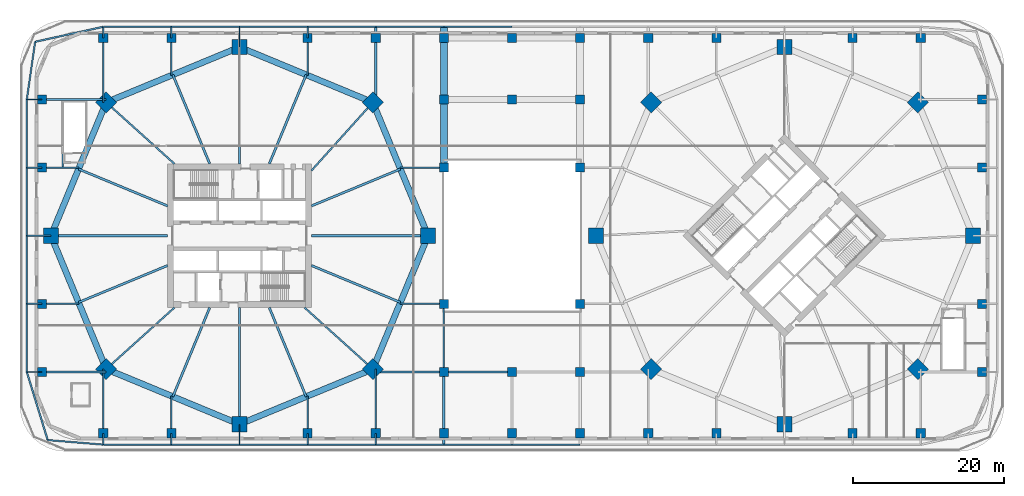
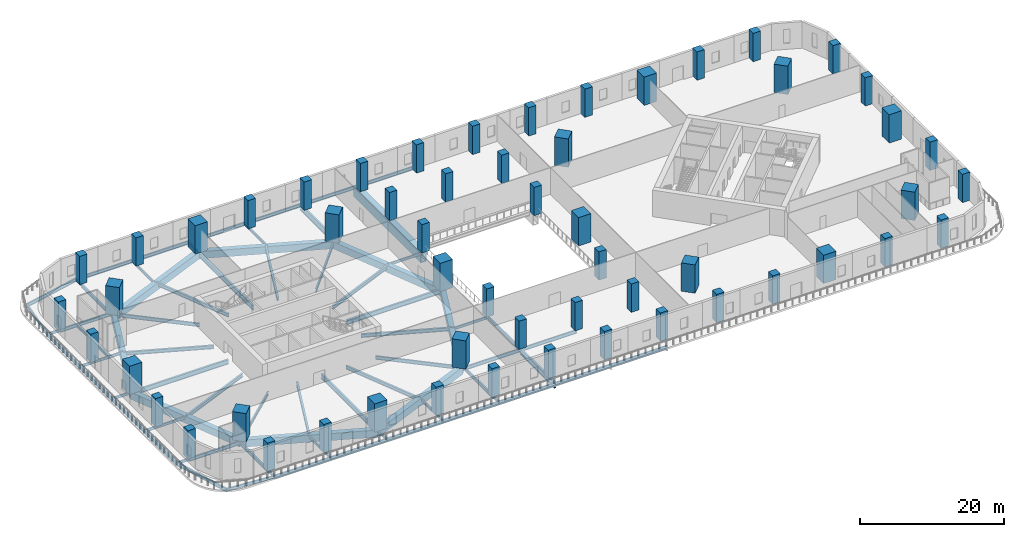
# One storey, part 1 of 16: 79 beams, 56 columns.
"""IFC4 building model written with IfcOpenShell, lengths in metres."""

import ifcopenshell
import ifcopenshell.guid

model = None  # the IFC model being written
_history = None  # IfcOwnerHistory: only IFC2X3 demands one
_inside = {}  # id of a spatial element -> (the spatial element, [elements in it])
_under = {}  # id of a project, library or spatial element -> (it, [spatial elements below it])
_declared = {}  # id of a project -> (the project, [libraries it declares])
_typed = {}  # id of a type object -> (the type object, [elements of that type])
_made_of = {}  # id of a material, layer set ... -> (it, [elements and type objects made of it])


def new_model(schema):
    """Start an empty IFC model of exactly this schema.

    Asked for "IFC4X3", IfcOpenShell would pick the latest addendum, in which some entities
    have other attributes; the version numbers below select the first issue.
    IFC2X3 requires an IfcOwnerHistory on every rooted entity: one is made here for all.
    """
    global model, _history
    if schema == "IFC4X3":
        model = ifcopenshell.file(schema_version=(4, 3, 0, 0))
    else:
        model = ifcopenshell.file(schema=schema)
    _inside.clear()
    _under.clear()
    _declared.clear()
    _typed.clear()
    _made_of.clear()
    _history = None
    if model.schema == "IFC2X3":
        org = make("IfcOrganization", Name="unknown")
        user = make(
            "IfcPersonAndOrganization",
            ThePerson=make("IfcPerson", FamilyName="unknown"),
            TheOrganization=org,
        )
        app = make(
            "IfcApplication",
            ApplicationDeveloper=org,
            Version="unknown",
            ApplicationFullName="unknown",
            ApplicationIdentifier="unknown",
        )
        _history = make(
            "IfcOwnerHistory",
            OwningUser=user,
            OwningApplication=app,
            ChangeAction="ADDED",
            CreationDate=0,
        )
    return model


def make(cls, **values):
    """One entity of the class cls with the attributes given. An attribute that is None is left unset."""
    return model.create_entity(
        cls, **{name: value for name, value in values.items() if value is not None}
    )


def rooted(cls, **values):
    """An entity with a GlobalId (a new one), such as an element, a storey or a relation."""
    return make(cls, GlobalId=ifcopenshell.guid.new(), OwnerHistory=_history, **values)


def si_unit(unit_type, name, prefix=None):
    """IfcSIUnit, for example si_unit("LENGTHUNIT", "METRE", prefix="MILLI")."""
    return make("IfcSIUnit", UnitType=unit_type, Prefix=prefix, Name=name)


def assignment(units):
    """IfcUnitAssignment: the units of a project."""
    return None if units is None else make("IfcUnitAssignment", Units=units)


def point(xyz):
    """IfcCartesianPoint."""
    return None if xyz is None else make("IfcCartesianPoint", Coordinates=xyz)


def direction(xyz):
    """IfcDirection."""
    return None if xyz is None else make("IfcDirection", DirectionRatios=xyz)


def frame(location, z_axis=None, x_axis=None):
    """IfcAxis2Placement3D, a coordinate frame: its origin and axes. An axis left out is left unset."""
    return make(
        "IfcAxis2Placement3D",
        Location=point(location),
        Axis=direction(z_axis),
        RefDirection=direction(x_axis),
    )


def frame_2d(location, x_axis=None):
    """IfcAxis2Placement2D, a coordinate frame in the plane: its origin and x axis."""
    return make(
        "IfcAxis2Placement2D", Location=point(location), RefDirection=direction(x_axis)
    )


def origin():
    """The frame at (0, 0, 0) with its axes left unset."""
    return frame((0.0, 0.0, 0.0))


def origin_2d():
    """The frame at (0, 0) in the plane with its x axis left unset."""
    return frame_2d((0.0, 0.0))


def place(relative_to, where):
    """IfcLocalPlacement: puts the frame where relative to a parent placement (None: the world)."""
    return make(
        "IfcLocalPlacement", PlacementRelTo=relative_to, RelativePlacement=where
    )


def context(
    kind, dimensions, precision=None, world=None, true_north=None, identifier=None
):
    """IfcGeometricRepresentationContext, for example the 3D "Model" context."""
    return make(
        "IfcGeometricRepresentationContext",
        ContextIdentifier=identifier,
        ContextType=kind,
        CoordinateSpaceDimension=dimensions,
        Precision=precision,
        WorldCoordinateSystem=world,
        TrueNorth=true_north,
    )


def subcontext(parent, identifier, kind, view, scale=None):
    """IfcGeometricRepresentationSubContext, for example "Body" below "Model"."""
    return make(
        "IfcGeometricRepresentationSubContext",
        ContextIdentifier=identifier,
        ContextType=kind,
        ParentContext=parent,
        TargetScale=scale,
        TargetView=view,
    )


def project(units=None, contexts=None):
    """IfcProject with its units and contexts."""
    return rooted(
        "IfcProject",
        Name="project",
        RepresentationContexts=contexts,
        UnitsInContext=assignment(units),
    )


def spatial(cls, under=None, at=None, **own):
    """A site, building, storey or space (cls), placed at a placement, below another one or the project."""
    s = rooted(cls, ObjectPlacement=at, **own)
    if under is not None:
        _under.setdefault(under.id(), (under, []))[1].append(s)
    return s


def profile(cls, at=None, kind="AREA", **sizes):
    """A parametric profile (cls). Its sizes go by their IFC names, for example OverallWidth=200.0."""
    return make(cls, ProfileType=kind, Position=at, **sizes)


def rectangle(**sizes):
    """IfcRectangleProfileDef."""
    return profile("IfcRectangleProfileDef", **sizes)


def hollow_rectangle(**sizes):
    """IfcRectangleHollowProfileDef."""
    return profile("IfcRectangleHollowProfileDef", **sizes)


def i_section(**sizes):
    """IfcIShapeProfileDef."""
    return profile("IfcIShapeProfileDef", **sizes)


def extrude(swept, where, along, depth):
    """IfcExtrudedAreaSolid: the profile swept, set in the frame where, extruded along a direction by depth."""
    return make(
        "IfcExtrudedAreaSolid",
        SweptArea=swept,
        Position=where,
        ExtrudedDirection=direction(along),
        Depth=depth,
    )


def shape(context_of_items, identifier, shape_type, items):
    """IfcShapeRepresentation: the items that make up one representation, for example the "Body"."""
    return make(
        "IfcShapeRepresentation",
        ContextOfItems=context_of_items,
        RepresentationIdentifier=identifier,
        RepresentationType=shape_type,
        Items=items,
    )


def material(Name=None, Category=None):
    """IfcMaterial."""
    return make("IfcMaterial", Name=Name, Category=Category)


def material_profile(
    of_material, cross_section, Name=None, Category=None, Priority=None
):
    """IfcMaterialProfile: a cross section and its material."""
    return make(
        "IfcMaterialProfile",
        Name=Name,
        Material=of_material,
        Profile=cross_section,
        Priority=Priority,
        Category=Category,
    )


def profile_set(profiles, Name=None, composite=None):
    """IfcMaterialProfileSet."""
    return make(
        "IfcMaterialProfileSet",
        Name=Name,
        MaterialProfiles=profiles,
        CompositeProfile=composite,
    )


def made_of(thing, what):
    """Note that an element or type object is made of a material, layer set ...; save() writes the relation."""
    if what is not None:
        _made_of.setdefault(what.id(), (what, []))[1].append(thing)
    return thing


def type_object(cls, material=None, **own):
    """A type object (cls), such as IfcWallType, which elements share."""
    return made_of(rooted(cls, **own), material)


def element(
    cls,
    number,
    at=None,
    inside=None,
    cuts=None,
    type_object=None,
    material=None,
    context=None,
    identifier="Body",
    shape_type=None,
    held_by="IfcProductDefinitionShape",
    body=None,
    shapes=None,
    **own,
):
    """One element of the class cls, such as IfcWall. Its Tag is "e" and its number.

    at: its placement. inside: the storey or other place that contains it. cuts: it is an
    opening in that element (IfcRelVoidsElement). A single representation is given by context,
    identifier, shape_type and body (its items); several are given by shapes. held_by: the class
    of the entity that holds the representations. save() writes the other relations.
    """
    e = rooted(cls, Tag="e%d" % number, ObjectPlacement=at, **own)
    if body is not None:
        shapes = [shape(context, identifier, shape_type, body)]
    if shapes is not None:
        e.Representation = make(held_by, Representations=shapes)
    if inside is not None:
        _inside.setdefault(inside.id(), (inside, []))[1].append(e)
    if cuts is not None:
        rooted(
            "IfcRelVoidsElement", RelatingBuildingElement=cuts, RelatedOpeningElement=e
        )
    if type_object is not None:
        _typed.setdefault(type_object.id(), (type_object, []))[1].append(e)
    return made_of(e, material)


def aggregate(whole, parts):
    """IfcRelAggregates: a whole, such as a stair, and the parts it consists of."""
    return rooted("IfcRelAggregates", RelatingObject=whole, RelatedObjects=parts)


def save(model, path):
    """Write the relations noted so far, then the file.

    IfcRelAggregates (storeys below a building ...), IfcRelContainedInSpatialStructure (elements
    in a storey), IfcRelDefinesByType, IfcRelAssociatesMaterial and IfcRelDeclares: one each for
    every whole, place, type object, material and project.
    """
    for whole, parts in _under.values():
        aggregate(whole, parts)
    for where, things in _inside.values():
        rooted(
            "IfcRelContainedInSpatialStructure",
            RelatedElements=things,
            RelatingStructure=where,
        )
    for kind, things in _typed.values():
        rooted("IfcRelDefinesByType", RelatedObjects=things, RelatingType=kind)
    for what, things in _made_of.values():
        rooted("IfcRelAssociatesMaterial", RelatedObjects=things, RelatingMaterial=what)
    for by, libraries in _declared.values():
        rooted("IfcRelDeclares", RelatingContext=by, RelatedDefinitions=libraries)
    model.write(path)


model = new_model("IFC4")

# Units and contexts
model_context = context("Model", 3, precision=1e-05, world=origin(), true_north=direction((0.0, 1.0)))
body_context = subcontext(model_context, "Body", "Model", "MODEL_VIEW")
ifc_project = project(units=[si_unit("LENGTHUNIT", "METRE"), si_unit("AREAUNIT", "SQUARE_METRE"), si_unit("VOLUMEUNIT", "CUBIC_METRE"), si_unit("PLANEANGLEUNIT", "RADIAN"), si_unit("MASSUNIT", "GRAM", prefix="KILO")], contexts=[model_context])

# Site, building, storey
site_placement = place(None, origin())
site = spatial("IfcSite", under=ifc_project, at=site_placement, CompositionType="ELEMENT")
building_placement = place(site_placement, origin())
building = spatial("IfcBuilding", under=site, at=building_placement, Name="Ogive Gate Towers", CompositionType="ELEMENT")
storey_placement = place(building_placement, frame((0.0, 0.0, 22.800048828125)))
storey = spatial("IfcBuildingStorey", under=building, at=storey_placement, Name="L04", CompositionType="ELEMENT", Elevation=22.800048828125)

# Columns
ifc_material_1 = material(Name="Concrete C50/60", Category="concrete")
ifc_material_profile_1 = material_profile(ifc_material_1, rectangle(XDim=1.199951171875, YDim=1.199951171875, at=origin_2d()), Name="RC 1200x1200")
ifc_profile_set_1 = profile_set([ifc_material_profile_1], Name="Concrete C50/60")
column_type_1 = type_object("IfcColumnType", Name="Column RC 1200x1200", PredefinedType="COLUMN", material=ifc_profile_set_1)
for number, where, z_axis, x_axis, name in (
    (1, (-62.10009765625, -18.0, 0.0), (0.0, 0.0, 1.0), (1.0, 0.0, 0.0), "PD/L04/SCL001"),
    (2, (-62.10009765625, -9.0, 0.0), (0.0, 0.0, 1.0), (1.0, 0.0, 0.0), "PD/L04/SCL002"),
    (3, (-62.10009765625, 9.0, 0.0), (0.0, 0.0, 1.0), (1.0, 0.0, 0.0), "PD/L04/SCL003"),
    (4, (-62.10009765625, 18.0, 0.0), (0.0, 0.0, 1.0), (1.0, 0.0, 0.0), "PD/L04/SCL004"),
    (5, (-54.0, -26.10009765625, 0.0), (0.0, 0.0, 1.0), (1.0, 0.0, 0.0), "PD/L04/SCL005"),
    (6, (-54.0, 26.10009765625, 0.0), (0.0, 0.0, 1.0), (1.0, 0.0, 0.0), "PD/L04/SCL006"),
    (7, (-45.0, -26.10009765625, 0.0), (0.0, 0.0, 1.0), (1.0, 0.0, 0.0), "PD/L04/SCL007"),
    (8, (-45.0, 26.10009765625, 0.0), (0.0, 0.0, 1.0), (1.0, 0.0, 0.0), "PD/L04/SCL008"),
    (9, (-27.0, -26.10009765625, 0.0), (0.0, 0.0, 1.0), (1.0, 0.0, 0.0), "PD/L04/SCL009"),
    (10, (-27.0, 26.10009765625, 0.0), (0.0, 0.0, 1.0), (1.0, 0.0, 0.0), "PD/L04/SCL010"),
    (11, (-18.0, -26.10009765625, 0.0), (0.0, 0.0, 1.0), (1.0, 0.0, 0.0), "PD/L04/SCL011"),
    (12, (-18.0, 26.10009765625, 0.0), (0.0, 0.0, 1.0), (1.0, 0.0, 0.0), "PD/L04/SCL012"),
    (13, (-9.0, -26.10009765625, 0.0), (0.0, 0.0, 1.0), (1.0, 0.0, 0.0), "PD/L04/SCL013"),
    (14, (-9.0, -18.0, 0.0), (0.0, 0.0, 1.0), (1.0, 0.0, 0.0), "PD/L04/SCL014"),
    (15, (-9.0, -9.0, 0.0), (0.0, 0.0, 1.0), (1.0, 0.0, 0.0), "PD/L04/SCL015"),
    (16, (-9.0, 9.0, 0.0), (0.0, 0.0, 1.0), (1.0, 0.0, 0.0), "PD/L04/SCL016"),
    (17, (-9.0, 18.0, 0.0), (0.0, 0.0, 1.0), (1.0, 0.0, 0.0), "PD/L04/SCL017"),
    (18, (-9.0, 26.10009765625, 0.0), (0.0, 0.0, 1.0), (1.0, 0.0, 0.0), "PD/L04/SCL018"),
    (19, (0.0, -26.10009765625, 0.0), (0.0, 0.0, 1.0), (1.0, 0.0, 0.0), "PD/L04/SCL019"),
    (20, (0.0, -18.0, 0.0), (0.0, 0.0, 1.0), (1.0, 0.0, 0.0), "PD/L04/SCL020"),
    (21, (0.0, 18.0, 0.0), (0.0, 0.0, 1.0), (1.0, 0.0, 0.0), "PD/L04/SCL021"),
    (22, (0.0, 26.10009765625, 0.0), (0.0, 0.0, 1.0), (1.0, 0.0, 0.0), "PD/L04/SCL022"),
    (23, (9.0, -26.10009765625, 0.0), (0.0, 0.0, 1.0), (1.0, 0.0, 0.0), "PD/L04/SCL023"),
    (24, (9.0, -18.0, 0.0), (0.0, 0.0, 1.0), (1.0, 0.0, 0.0), "PD/L04/SCL024"),
    (25, (9.0, -9.0, 0.0), (0.0, 0.0, 1.0), (1.0, 0.0, 0.0), "PD/L04/SCL025"),
    (26, (9.0, 9.0, 0.0), (0.0, 0.0, 1.0), (1.0, 0.0, 0.0), "PD/L04/SCL026"),
    (27, (9.0, 18.0, 0.0), (0.0, 0.0, 1.0), (1.0, 0.0, 0.0), "PD/L04/SCL027"),
    (28, (9.0, 26.10009765625, 0.0), (0.0, 0.0, 1.0), (1.0, 0.0, 0.0), "PD/L04/SCL028"),
    (29, (18.0, -26.10009765625, 0.0), (0.0, 0.0, 1.0), (1.0, 0.0, 0.0), "PD/L04/SCL029"),
    (30, (18.0, 26.10009765625, 0.0), (0.0, 0.0, 1.0), (1.0, 0.0, 0.0), "PD/L04/SCL030"),
    (31, (27.0, -26.10009765625, 0.0), (0.0, 0.0, 1.0), (1.0, 0.0, 0.0), "PD/L04/SCL031"),
    (32, (27.0, 26.10009765625, 0.0), (0.0, 0.0, 1.0), (1.0, 0.0, 0.0), "PD/L04/SCL032"),
    (33, (45.0, -26.10009765625, 0.0), (0.0, 0.0, 1.0), (1.0, 0.0, 0.0), "PD/L04/SCL033"),
    (34, (45.0, 26.10009765625, 0.0), (0.0, 0.0, 1.0), (1.0, 0.0, 0.0), "PD/L04/SCL034"),
    (35, (54.0, -26.10009765625, 0.0), (0.0, 0.0, 1.0), (1.0, 0.0, 0.0), "PD/L04/SCL035"),
    (36, (54.0, 26.10009765625, 0.0), (0.0, 0.0, 1.0), (1.0, 0.0, 0.0), "PD/L04/SCL036"),
    (37, (62.10009765625, -18.0, 0.0), (0.0, 0.0, 1.0), (1.0, 0.0, 0.0), "PD/L04/SCL037"),
    (38, (62.10009765625, -9.0, 0.0), (0.0, 0.0, 1.0), (1.0, 0.0, 0.0), "PD/L04/SCL038"),
    (39, (62.10009765625, 9.0, 0.0), (0.0, 0.0, 1.0), (1.0, 0.0, 0.0), "PD/L04/SCL039"),
    (40, (62.10009765625, 18.0, 0.0), (0.0, 0.0, 1.0), (1.0, 0.0, 0.0), "PD/L04/SCL040"),
):
    element("IfcColumn", number, at=place(storey_placement, frame(where, z_axis=z_axis, x_axis=x_axis)), inside=storey, type_object=column_type_1, Name=name, PredefinedType="COLUMN", context=body_context, shape_type="SweptSolid", body=[
        extrude(rectangle(XDim=1.199951171875, YDim=1.199951171875, at=origin_2d()), origin(), (0.0, 0.0, 1.0), 4.800048828125),
    ])
ifc_material_2 = material(Name="Concrete C70/85", Category="concrete")
ifc_material_profile_2 = material_profile(ifc_material_2, rectangle(XDim=2.0, YDim=2.0, at=origin_2d()), Name="RC 2000x2000")
ifc_profile_set_2 = profile_set([ifc_material_profile_2], Name="Concrete C70/85")
column_type_2 = type_object("IfcColumnType", Name="Mega column 2000 x 2000", PredefinedType="COLUMN", material=ifc_profile_set_2)
for number, where, z_axis, x_axis, name in (
    (41, (-11.090087890625, 0.0, 0.0), (0.0, 0.0, 1.0), (1.0, 0.0, 0.0), "T1/L04/SCL001"),
    (42, (-18.385986328125, 17.614013671875, 0.0), (0.0, 0.0, 1.0), (0.707106781187, 0.707106781187, 0.0), "T1/L04/SCL002"),
    (43, (-36.0, 24.909912109375, 0.0), (0.0, 0.0, 1.0), (0.0, 1.0, 0.0), "T1/L04/SCL003"),
    (44, (-53.614013671875, 17.614013671875, 0.0), (0.0, 0.0, 1.0), (-0.707106781187, 0.707106781187, 0.0), "T1/L04/SCL004"),
    (45, (-60.909912109375, 0.0, 0.0), (0.0, 0.0, 1.0), (-1.0, 0.0, 0.0), "T1/L04/SCL005"),
    (46, (-53.614013671875, -17.614013671875, 0.0), (0.0, 0.0, 1.0), (-0.707106781187, -0.707106781187, 0.0), "T1/L04/SCL006"),
    (47, (-36.0, -24.909912109375, 0.0), (0.0, 0.0, 1.0), (0.0, -1.0, 0.0), "T1/L04/SCL007"),
    (48, (-18.385986328125, -17.614013671875, 0.0), (0.0, 0.0, 1.0), (0.707106781187, -0.707106781187, 0.0), "T1/L04/SCL008"),
    (49, (60.909912109375, 0.0, 0.0), (0.0, 0.0, 1.0), (1.0, 0.0, 0.0), "T2/L04/SCL001"),
    (50, (53.614013671875, 17.614013671875, 0.0), (0.0, 0.0, 1.0), (0.707106781187, 0.707106781187, 0.0), "T2/L04/SCL002"),
    (51, (36.0, 24.909912109375, 0.0), (0.0, 0.0, 1.0), (0.0, 1.0, 0.0), "T2/L04/SCL003"),
    (52, (18.385986328125, 17.614013671875, 0.0), (0.0, 0.0, 1.0), (-0.707106781187, 0.707106781187, 0.0), "T2/L04/SCL004"),
    (53, (11.090087890625, 0.0, 0.0), (0.0, 0.0, 1.0), (-1.0, 0.0, 0.0), "T2/L04/SCL005"),
    (54, (18.385986328125, -17.614013671875, 0.0), (0.0, 0.0, 1.0), (-0.707106781187, -0.707106781187, 0.0), "T2/L04/SCL006"),
    (55, (36.0, -24.909912109375, 0.0), (0.0, 0.0, 1.0), (0.0, -1.0, 0.0), "T2/L04/SCL007"),
    (56, (53.614013671875, -17.614013671875, 0.0), (0.0, 0.0, 1.0), (0.707106781187, -0.707106781187, 0.0), "T2/L04/SCL008"),
):
    element("IfcColumn", number, at=place(storey_placement, frame(where, z_axis=z_axis, x_axis=x_axis)), inside=storey, type_object=column_type_2, Name=name, PredefinedType="COLUMN", context=body_context, shape_type="SweptSolid", body=[
        extrude(rectangle(XDim=2.0, YDim=2.0, at=origin_2d()), origin(), (0.0, 0.0, 1.0), 4.800048828125),
    ])

# Beams
ifc_material_3 = material(Name="Steel SM460", Category="steel")
ifc_material_profile_3 = material_profile(ifc_material_3, hollow_rectangle(XDim=0.800048828125, YDim=1.199951171875, WallThickness=0.050048828125, at=origin_2d()), Name="BX 1200x800x50")
ifc_profile_set_3 = profile_set([ifc_material_profile_3], Name="Steel SM460")
beam_type_1 = type_object("IfcBeamType", Name="Edge girder BX 1200x800x50", PredefinedType="BEAM", material=ifc_profile_set_3)
for number, where, z_axis, x_axis, name in (
    (57, (-53.614013671875, -17.614013671875, -0.900146484375), (0.923880736283, -0.382680526191, 0.0), (0.382680526191, 0.923880736283, 0.0), "T1/L04/SBM017"),
    (58, (-36.0, -24.909912109375, -0.900146484375), (0.923880736283, 0.382680526191, 0.0), (-0.382680526191, 0.923880736283, 0.0), "T1/L04/SBM018"),
    (59, (-18.385986328125, -17.614013671875, -0.900146484375), (0.382680526191, 0.923880736283, 0.0), (-0.923880736283, 0.382680526191, 0.0), "T1/L04/SBM019"),
    (60, (-11.090087890625, 0.0, -0.900146484375), (-0.382680526191, 0.923880736283, 0.0), (-0.923880736283, -0.382680526191, 0.0), "T1/L04/SBM020"),
    (61, (-18.385986328125, 17.614013671875, -0.900146484375), (-0.923880736283, 0.382680526191, 0.0), (-0.382680526191, -0.923880736283, 0.0), "T1/L04/SBM021"),
    (62, (-36.0, 24.909912109375, -0.900146484375), (-0.923880736283, -0.382680526191, 0.0), (0.382680526191, -0.923880736283, 0.0), "T1/L04/SBM022"),
    (63, (-53.614013671875, 17.614013671875, -0.900146484375), (-0.382680526191, -0.923880736283, 0.0), (0.923880736283, -0.382680526191, 0.0), "T1/L04/SBM023"),
    (64, (-60.909912109375, 0.0, -0.900146484375), (0.382680526191, -0.923880736283, 0.0), (0.923880736283, 0.382680526191, 0.0), "T1/L04/SBM024"),
):
    element("IfcBeam", number, at=place(storey_placement, frame(where, z_axis=z_axis, x_axis=x_axis)), inside=storey, type_object=beam_type_1, Name=name, PredefinedType="BEAM", context=body_context, shape_type="SweptSolid", body=[
        extrude(hollow_rectangle(XDim=0.800048828125, YDim=1.199951171875, WallThickness=0.050048828125, at=origin_2d()), origin(), (0.0, 0.0, 1.0), 19.065185546875),
    ])
ifc_material_4 = material(Name="Steel SM355", Category="steel")
ifc_material_profile_4 = material_profile(ifc_material_4, i_section(OverallWidth=0.18994140625, OverallDepth=0.449951171875, WebThickness=0.009521484375, FlangeThickness=0.0146484375, FilletRadius=0.02099609375, at=origin_2d()), Name="IPE 450")
ifc_profile_set_4 = profile_set([ifc_material_profile_4], Name="Steel SM355")
beam_type_2 = type_object("IfcBeamType", Name="Floor beam IPE 450", PredefinedType="BEAM", material=ifc_profile_set_4)
for number, where, z_axis, x_axis, name in (
    (65, (-54.0, -27.60009765625, -0.525146484375), (0.0, 1.0, 0.0), (-1.0, 0.0, 0.0), "PD/L04/SBM010"),
    (66, (-54.0, 26.10009765625, -0.525146484375), (0.0, 1.0, 0.0), (-1.0, 0.0, 0.0), "PD/L04/SBM013"),
    (67, (-45.0, -27.60009765625, -0.525146484375), (0.0, 1.0, 0.0), (-1.0, 0.0, 0.0), "PD/L04/SBM014"),
    (68, (-45.0, 26.10009765625, -0.525146484375), (0.0, 1.0, 0.0), (-1.0, 0.0, 0.0), "PD/L04/SBM015"),
):
    element("IfcBeam", number, at=place(storey_placement, frame(where, z_axis=z_axis, x_axis=x_axis)), inside=storey, type_object=beam_type_2, Name=name, PredefinedType="BEAM", context=body_context, shape_type="SweptSolid", body=[
        extrude(i_section(OverallWidth=0.18994140625, OverallDepth=0.449951171875, WebThickness=0.009521484375, FlangeThickness=0.0146484375, FilletRadius=0.02099609375, at=origin_2d()), origin(), (0.0, 0.0, 1.0), 1.5),
    ])
for number, where, z_axis, x_axis, name in (
    (69, (-36.0, -27.60009765625, -0.525146484375), (0.0, 1.0, 0.0), (-1.0, 0.0, 0.0), "PD/L04/SBM016"),
    (70, (-36.0, 24.909912109375, -0.525146484375), (0.0, 1.0, 0.0), (-1.0, 0.0, 0.0), "PD/L04/SBM017"),
):
    element("IfcBeam", number, at=place(storey_placement, frame(where, z_axis=z_axis, x_axis=x_axis)), inside=storey, type_object=beam_type_2, Name=name, PredefinedType="BEAM", context=body_context, shape_type="SweptSolid", body=[
        extrude(i_section(OverallWidth=0.18994140625, OverallDepth=0.449951171875, WebThickness=0.009521484375, FlangeThickness=0.0146484375, FilletRadius=0.02099609375, at=origin_2d()), origin(), (0.0, 0.0, 1.0), 2.690185546875),
    ])
for number, where, z_axis, x_axis, name in (
    (71, (-27.0, -27.60009765625, -0.525146484375), (0.0, 1.0, 0.0), (-1.0, 0.0, 0.0), "PD/L04/SBM018"),
    (72, (-27.0, 26.10009765625, -0.525146484375), (0.0, 1.0, 0.0), (-1.0, 0.0, 0.0), "PD/L04/SBM019"),
    (73, (-18.0, -27.60009765625, -0.525146484375), (0.0, 1.0, 0.0), (-1.0, 0.0, 0.0), "PD/L04/SBM020"),
):
    element("IfcBeam", number, at=place(storey_placement, frame(where, z_axis=z_axis, x_axis=x_axis)), inside=storey, type_object=beam_type_2, Name=name, PredefinedType="BEAM", context=body_context, shape_type="SweptSolid", body=[
        extrude(i_section(OverallWidth=0.18994140625, OverallDepth=0.449951171875, WebThickness=0.009521484375, FlangeThickness=0.0146484375, FilletRadius=0.02099609375, at=origin_2d()), origin(), (0.0, 0.0, 1.0), 1.5),
    ])
for number, where, z_axis, x_axis, name in (
    (74, (-64.10009765625, -18.0, -0.525146484375), (1.0, 0.0, 0.0), (0.0, 1.0, 0.0), "PD/L04/SBM036"),
    (75, (-64.10009765625, -9.0, -0.525146484375), (1.0, 0.0, 0.0), (0.0, 1.0, 0.0), "PD/L04/SBM044"),
):
    element("IfcBeam", number, at=place(storey_placement, frame(where, z_axis=z_axis, x_axis=x_axis)), inside=storey, type_object=beam_type_2, Name=name, PredefinedType="BEAM", context=body_context, shape_type="SweptSolid", body=[
        extrude(i_section(OverallWidth=0.18994140625, OverallDepth=0.449951171875, WebThickness=0.009521484375, FlangeThickness=0.0146484375, FilletRadius=0.02099609375, at=origin_2d()), origin(), (0.0, 0.0, 1.0), 2.0),
    ])
beam_1_placement = place(storey_placement, frame((-64.10009765625, 0.0, -0.525146484375), z_axis=(1.0, 0.0, 0.0), x_axis=(0.0, 1.0, 0.0)))
element("IfcBeam", 76, at=beam_1_placement, inside=storey, type_object=beam_type_2, Name="PD/L04/SBM046", PredefinedType="BEAM", context=body_context, shape_type="SweptSolid", body=[
    extrude(i_section(OverallWidth=0.18994140625, OverallDepth=0.449951171875, WebThickness=0.009521484375, FlangeThickness=0.0146484375, FilletRadius=0.02099609375, at=origin_2d()), origin(), (0.0, 0.0, 1.0), 3.190185546875),
])
for number, where, z_axis, x_axis, name in (
    (77, (-64.10009765625, 9.0, -0.525146484375), (1.0, 0.0, 0.0), (0.0, 1.0, 0.0), "PD/L04/SBM048"),
    (78, (-64.10009765625, 18.0, -0.525146484375), (1.0, 0.0, 0.0), (0.0, 1.0, 0.0), "PD/L04/SBM050"),
):
    element("IfcBeam", number, at=place(storey_placement, frame(where, z_axis=z_axis, x_axis=x_axis)), inside=storey, type_object=beam_type_2, Name=name, PredefinedType="BEAM", context=body_context, shape_type="SweptSolid", body=[
        extrude(i_section(OverallWidth=0.18994140625, OverallDepth=0.449951171875, WebThickness=0.009521484375, FlangeThickness=0.0146484375, FilletRadius=0.02099609375, at=origin_2d()), origin(), (0.0, 0.0, 1.0), 2.0),
    ])
for number, where, z_axis, x_axis, name in (
    (79, (-62.10009765625, -9.0, -0.525146484375), (1.0, 0.0, 0.0), (0.0, 1.0, 0.0), "PD/L04/SBM094"),
    (80, (-62.10009765625, 9.0, -0.525146484375), (1.0, 0.0, 0.0), (0.0, 1.0, 0.0), "PD/L04/SBM095"),
    (81, (-45.0, -26.10009765625, -0.525146484375), (0.0, 1.0, 0.0), (-1.0, 0.0, 0.0), "PD/L04/SBM096"),
    (82, (-45.0, 26.10009765625, -0.525146484375), (0.0, -1.0, 0.0), (1.0, 0.0, 0.0), "PD/L04/SBM097"),
    (83, (-27.0, -26.10009765625, -0.525146484375), (0.0, 1.0, 0.0), (-1.0, 0.0, 0.0), "PD/L04/SBM098"),
    (84, (-27.0, 26.10009765625, -0.525146484375), (0.0, -1.0, 0.0), (1.0, 0.0, 0.0), "PD/L04/SBM099"),
):
    element("IfcBeam", number, at=place(storey_placement, frame(where, z_axis=z_axis, x_axis=x_axis)), inside=storey, type_object=beam_type_2, Name=name, PredefinedType="BEAM", context=body_context, shape_type="SweptSolid", body=[
        extrude(i_section(OverallWidth=0.18994140625, OverallDepth=0.449951171875, WebThickness=0.009521484375, FlangeThickness=0.0146484375, FilletRadius=0.02099609375, at=origin_2d()), origin(), (0.0, 0.0, 1.0), 4.91796875),
    ])
for number, where, z_axis, x_axis, name in (
    (85, (-9.0, -9.0, -0.525146484375), (-1.0, 0.0, 0.0), (0.0, -1.0, 0.0), "PD/L04/SBM100"),
    (86, (-9.0, 9.0, -0.525146484375), (-1.0, 0.0, 0.0), (0.0, -1.0, 0.0), "PD/L04/SBM101"),
):
    element("IfcBeam", number, at=place(storey_placement, frame(where, z_axis=z_axis, x_axis=x_axis)), inside=storey, type_object=beam_type_2, Name=name, PredefinedType="BEAM", context=body_context, shape_type="SweptSolid", body=[
        extrude(i_section(OverallWidth=0.18994140625, OverallDepth=0.449951171875, WebThickness=0.009521484375, FlangeThickness=0.0146484375, FilletRadius=0.02099609375, at=origin_2d()), origin(), (0.0, 0.0, 1.0), 5.81787109375),
    ])
ifc_material_profile_5 = material_profile(ifc_material_4, i_section(OverallWidth=0.199951171875, OverallDepth=0.5, WebThickness=0.01025390625, FlangeThickness=0.01611328125, FilletRadius=0.02099609375, at=origin_2d()), Name="IPE 500")
ifc_profile_set_5 = profile_set([ifc_material_profile_5], Name="Steel SM355")
beam_type_3 = type_object("IfcBeamType", Name="Floor beam IPE 500", PredefinedType="BEAM", material=ifc_profile_set_5)
beam_2_placement = place(storey_placement, frame((-54.0, -27.60009765625, -0.550048828125), z_axis=(-0.996673302289, 0.08150048162, 0.0), x_axis=(-0.08150048162, -0.996673302289, 0.0)))
element("IfcBeam", 87, at=beam_2_placement, inside=storey, type_object=beam_type_3, Name="PD/L04/SBM066", PredefinedType="BEAM", context=body_context, shape_type="SweptSolid", body=[
    extrude(i_section(OverallWidth=0.199951171875, OverallDepth=0.5, WebThickness=0.01025390625, FlangeThickness=0.01611328125, FilletRadius=0.02099609375, at=origin_2d()), origin(), (0.0, 0.0, 1.0), 7.363037109375),
])
beam_3_placement = place(storey_placement, frame((-64.10009765625, 18.0, -0.550048828125), z_axis=(0.142895182627, 0.989737827297, 0.0), x_axis=(-0.989737827297, 0.142895182627, 0.0)))
element("IfcBeam", 88, at=beam_3_placement, inside=storey, type_object=beam_type_3, Name="PD/L04/SBM072", PredefinedType="BEAM", context=body_context, shape_type="SweptSolid", body=[
    extrude(i_section(OverallWidth=0.199951171875, OverallDepth=0.5, WebThickness=0.01025390625, FlangeThickness=0.01611328125, FilletRadius=0.02099609375, at=origin_2d()), origin(), (0.0, 0.0, 1.0), 7.69873046875),
])
ifc_material_profile_6 = material_profile(ifc_material_4, i_section(OverallWidth=0.219970703125, OverallDepth=0.60009765625, WebThickness=0.011962890625, FlangeThickness=0.01904296875, FilletRadius=0.02392578125, at=origin_2d()), Name="IPE 600")
ifc_profile_set_6 = profile_set([ifc_material_profile_6], Name="Steel SM355")
beam_type_4 = type_object("IfcBeamType", Name="Floor beam IPE 600", PredefinedType="BEAM", material=ifc_profile_set_6)
for number, where, z_axis, x_axis, name in (
    (89, (-54.0, -26.10009765625, -0.60009765625), (0.0, 1.0, 0.0), (-1.0, 0.0, 0.0), "PD/L04/SBM011"),
    (90, (-54.0, 17.614013671875, -0.60009765625), (0.0, 1.0, 0.0), (-1.0, 0.0, 0.0), "PD/L04/SBM012"),
    (91, (-18.0, -26.10009765625, -0.60009765625), (0.0, 1.0, 0.0), (-1.0, 0.0, 0.0), "PD/L04/SBM021"),
):
    element("IfcBeam", number, at=place(storey_placement, frame(where, z_axis=z_axis, x_axis=x_axis)), inside=storey, type_object=beam_type_4, Name=name, PredefinedType="BEAM", context=body_context, shape_type="SweptSolid", body=[
        extrude(i_section(OverallWidth=0.219970703125, OverallDepth=0.60009765625, WebThickness=0.011962890625, FlangeThickness=0.01904296875, FilletRadius=0.02392578125, at=origin_2d()), origin(), (0.0, 0.0, 1.0), 8.486083984375),
    ])
beam_4_placement = place(storey_placement, frame((-9.0, -18.0, -0.60009765625), z_axis=(0.0, 1.0, 0.0), x_axis=(-1.0, 0.0, 0.0)))
element("IfcBeam", 92, at=beam_4_placement, inside=storey, type_object=beam_type_4, Name="PD/L04/SBM022", PredefinedType="BEAM", context=body_context, shape_type="SweptSolid", body=[
    extrude(i_section(OverallWidth=0.219970703125, OverallDepth=0.60009765625, WebThickness=0.011962890625, FlangeThickness=0.01904296875, FilletRadius=0.02392578125, at=origin_2d()), origin(), (0.0, 0.0, 1.0), 9.0),
])
beam_5_placement = place(storey_placement, frame((-62.10009765625, -18.0, -0.60009765625), z_axis=(1.0, 0.0, 0.0), x_axis=(0.0, 1.0, 0.0)))
element("IfcBeam", 93, at=beam_5_placement, inside=storey, type_object=beam_type_4, Name="PD/L04/SBM037", PredefinedType="BEAM", context=body_context, shape_type="SweptSolid", body=[
    extrude(i_section(OverallWidth=0.219970703125, OverallDepth=0.60009765625, WebThickness=0.011962890625, FlangeThickness=0.01904296875, FilletRadius=0.02392578125, at=origin_2d()), origin(), (0.0, 0.0, 1.0), 8.486083984375),
])
beam_6_placement = place(storey_placement, frame((-18.385986328125, -18.0, -0.60009765625), z_axis=(1.0, 0.0, 0.0), x_axis=(0.0, 1.0, 0.0)))
element("IfcBeam", 94, at=beam_6_placement, inside=storey, type_object=beam_type_4, Name="PD/L04/SBM038", PredefinedType="BEAM", context=body_context, shape_type="SweptSolid", body=[
    extrude(i_section(OverallWidth=0.219970703125, OverallDepth=0.60009765625, WebThickness=0.011962890625, FlangeThickness=0.01904296875, FilletRadius=0.02392578125, at=origin_2d()), origin(), (0.0, 0.0, 1.0), 9.385986328125),
])
beam_7_placement = place(storey_placement, frame((-9.0, -18.0, -0.60009765625), z_axis=(1.0, 0.0, 0.0), x_axis=(0.0, 1.0, 0.0)))
element("IfcBeam", 95, at=beam_7_placement, inside=storey, type_object=beam_type_4, Name="PD/L04/SBM039", PredefinedType="BEAM", context=body_context, shape_type="SweptSolid", body=[
    extrude(i_section(OverallWidth=0.219970703125, OverallDepth=0.60009765625, WebThickness=0.011962890625, FlangeThickness=0.01904296875, FilletRadius=0.02392578125, at=origin_2d()), origin(), (0.0, 0.0, 1.0), 9.0),
])
beam_8_placement = place(storey_placement, frame((-62.10009765625, 18.0, -0.60009765625), z_axis=(1.0, 0.0, 0.0), x_axis=(0.0, 1.0, 0.0)))
element("IfcBeam", 96, at=beam_8_placement, inside=storey, type_object=beam_type_4, Name="PD/L04/SBM051", PredefinedType="BEAM", context=body_context, shape_type="SweptSolid", body=[
    extrude(i_section(OverallWidth=0.219970703125, OverallDepth=0.60009765625, WebThickness=0.011962890625, FlangeThickness=0.01904296875, FilletRadius=0.02392578125, at=origin_2d()), origin(), (0.0, 0.0, 1.0), 8.486083984375),
])
for number, where, z_axis, x_axis, name in (
    (97, (9.0, -27.60009765625, -0.60009765625), (-1.0, 0.0, 0.0), (0.0, -1.0, 0.0), "PD/L04/SBM059"),
    (98, (0.0, -27.60009765625, -0.60009765625), (-1.0, 0.0, 0.0), (0.0, -1.0, 0.0), "PD/L04/SBM060"),
    (99, (-9.0, -27.60009765625, -0.60009765625), (-1.0, 0.0, 0.0), (0.0, -1.0, 0.0), "PD/L04/SBM061"),
    (100, (-18.0, -27.60009765625, -0.60009765625), (-1.0, 0.0, 0.0), (0.0, -1.0, 0.0), "PD/L04/SBM062"),
    (101, (-27.0, -27.60009765625, -0.60009765625), (-1.0, 0.0, 0.0), (0.0, -1.0, 0.0), "PD/L04/SBM063"),
    (102, (-36.0, -27.60009765625, -0.60009765625), (-1.0, 0.0, 0.0), (0.0, -1.0, 0.0), "PD/L04/SBM064"),
    (103, (-45.0, -27.60009765625, -0.60009765625), (-1.0, 0.0, 0.0), (0.0, -1.0, 0.0), "PD/L04/SBM065"),
):
    element("IfcBeam", number, at=place(storey_placement, frame(where, z_axis=z_axis, x_axis=x_axis)), inside=storey, type_object=beam_type_4, Name=name, PredefinedType="BEAM", context=body_context, shape_type="SweptSolid", body=[
        extrude(i_section(OverallWidth=0.219970703125, OverallDepth=0.60009765625, WebThickness=0.011962890625, FlangeThickness=0.01904296875, FilletRadius=0.02392578125, at=origin_2d()), origin(), (0.0, 0.0, 1.0), 9.0),
    ])
beam_9_placement = place(storey_placement, frame((-61.338623046875, -27.0, -0.60009765625), z_axis=(-0.293333127208, 0.956010290992, 0.0), x_axis=(-0.956010290992, -0.293333127208, 0.0)))
element("IfcBeam", 104, at=beam_9_placement, inside=storey, type_object=beam_type_4, Name="PD/L04/SBM067", PredefinedType="BEAM", context=body_context, shape_type="SweptSolid", body=[
    extrude(i_section(OverallWidth=0.219970703125, OverallDepth=0.60009765625, WebThickness=0.011962890625, FlangeThickness=0.01904296875, FilletRadius=0.02392578125, at=origin_2d()), origin(), (0.0, 0.0, 1.0), 9.4140625),
])
for number, where, z_axis, x_axis, name in (
    (105, (-64.10009765625, -18.0, -0.60009765625), (0.0, 1.0, 0.0), (-1.0, 0.0, 0.0), "PD/L04/SBM068"),
    (106, (-64.10009765625, -9.0, -0.60009765625), (0.0, 1.0, 0.0), (-1.0, 0.0, 0.0), "PD/L04/SBM069"),
    (107, (-64.10009765625, 0.0, -0.60009765625), (0.0, 1.0, 0.0), (-1.0, 0.0, 0.0), "PD/L04/SBM070"),
    (108, (-64.10009765625, 9.0, -0.60009765625), (0.0, 1.0, 0.0), (-1.0, 0.0, 0.0), "PD/L04/SBM071"),
):
    element("IfcBeam", number, at=place(storey_placement, frame(where, z_axis=z_axis, x_axis=x_axis)), inside=storey, type_object=beam_type_4, Name=name, PredefinedType="BEAM", context=body_context, shape_type="SweptSolid", body=[
        extrude(i_section(OverallWidth=0.219970703125, OverallDepth=0.60009765625, WebThickness=0.011962890625, FlangeThickness=0.01904296875, FilletRadius=0.02392578125, at=origin_2d()), origin(), (0.0, 0.0, 1.0), 9.0),
    ])
beam_10_placement = place(storey_placement, frame((-63.0, 25.61962890625, -0.60009765625), z_axis=(0.976633791525, 0.214910300479, 0.0), x_axis=(-0.214910300479, 0.976633791525, 0.0)))
element("IfcBeam", 109, at=beam_10_placement, inside=storey, type_object=beam_type_4, Name="PD/L04/SBM073", PredefinedType="BEAM", context=body_context, shape_type="SweptSolid", body=[
    extrude(i_section(OverallWidth=0.219970703125, OverallDepth=0.60009765625, WebThickness=0.011962890625, FlangeThickness=0.01904296875, FilletRadius=0.02392578125, at=origin_2d()), origin(), (0.0, 0.0, 1.0), 9.21533203125),
])
for number, where, z_axis, x_axis, name in (
    (110, (-54.0, 27.60009765625, -0.60009765625), (1.0, 0.0, 0.0), (0.0, 1.0, 0.0), "PD/L04/SBM074"),
    (111, (-45.0, 27.60009765625, -0.60009765625), (1.0, 0.0, 0.0), (0.0, 1.0, 0.0), "PD/L04/SBM075"),
    (112, (-36.0, 27.60009765625, -0.60009765625), (1.0, 0.0, 0.0), (0.0, 1.0, 0.0), "PD/L04/SBM076"),
    (113, (-27.0, 27.60009765625, -0.60009765625), (1.0, 0.0, 0.0), (0.0, 1.0, 0.0), "PD/L04/SBM077"),
    (114, (-18.0, 27.60009765625, -0.60009765625), (1.0, 0.0, 0.0), (0.0, 1.0, 0.0), "PD/L04/SBM078"),
    (115, (-9.0, 27.60009765625, -0.60009765625), (1.0, 0.0, 0.0), (0.0, 1.0, 0.0), "PD/L04/SBM079"),
    (116, (-59.35009765625, 9.0, -0.60009765625), (0.0, 1.0, 0.0), (-1.0, 0.0, 0.0), "PD/L04/SBM112"),
):
    element("IfcBeam", number, at=place(storey_placement, frame(where, z_axis=z_axis, x_axis=x_axis)), inside=storey, type_object=beam_type_4, Name=name, PredefinedType="BEAM", context=body_context, shape_type="SweptSolid", body=[
        extrude(i_section(OverallWidth=0.219970703125, OverallDepth=0.60009765625, WebThickness=0.011962890625, FlangeThickness=0.01904296875, FilletRadius=0.02392578125, at=origin_2d()), origin(), (0.0, 0.0, 1.0), 9.0),
    ])
ifc_material_profile_7 = material_profile(ifc_material_4, i_section(OverallWidth=0.300048828125, OverallDepth=0.590087890625, WebThickness=0.012939453125, FlangeThickness=0.02490234375, FilletRadius=0.027099609375, at=origin_2d()), Name="HE 600 A")
ifc_profile_set_7 = profile_set([ifc_material_profile_7], Name="Steel SM355")
beam_type_5 = type_object("IfcBeamType", Name="Radial floor beam HE 600 A", PredefinedType="BEAM", material=ifc_profile_set_7)
for number, where, z_axis, x_axis, name in (
    (117, (-39.93505859375, -9.5, -0.594970703125), (-0.382690523214, -0.923876595354, 0.0), (0.923876595354, -0.382690523214, 0.0), "T1/L04/SBM002"),
    (118, (-32.06494140625, -9.5, -0.594970703125), (0.382690523214, -0.923876595354, 0.0), (0.923876595354, 0.382690523214, 0.0), "T1/L04/SBM004"),
    (119, (-26.5, -3.93505859375, -0.594970703125), (0.923876595354, -0.382690523214, 0.0), (0.382690523214, 0.923876595354, 0.0), "T1/L04/SBM006"),
    (120, (-26.5, 3.93505859375, -0.594970703125), (0.923876595354, 0.382690523214, 0.0), (-0.382690523214, 0.923876595354, 0.0), "T1/L04/SBM008"),
    (121, (-32.06494140625, 9.5, -0.594970703125), (0.382690523214, 0.923876595354, 0.0), (-0.923876595354, 0.382690523214, 0.0), "T1/L04/SBM010"),
    (122, (-39.93505859375, 9.5, -0.594970703125), (-0.382690523214, 0.923876595354, 0.0), (-0.923876595354, -0.382690523214, 0.0), "T1/L04/SBM012"),
    (123, (-45.5, 3.93505859375, -0.594970703125), (-0.923876595354, 0.382690523214, 0.0), (-0.382690523214, -0.923876595354, 0.0), "T1/L04/SBM014"),
    (124, (-45.5, -3.93505859375, -0.594970703125), (-0.923876595354, -0.382690523214, 0.0), (0.382690523214, -0.923876595354, 0.0), "T1/L04/SBM016"),
):
    element("IfcBeam", number, at=place(storey_placement, frame(where, z_axis=z_axis, x_axis=x_axis)), inside=storey, type_object=beam_type_5, Name=name, PredefinedType="BEAM", context=body_context, shape_type="SweptSolid", body=[
        extrude(i_section(OverallWidth=0.300048828125, OverallDepth=0.590087890625, WebThickness=0.012939453125, FlangeThickness=0.02490234375, FilletRadius=0.027099609375, at=origin_2d()), origin(), (0.0, 0.0, 1.0), 12.731201171875),
    ])
ifc_material_profile_8 = material_profile(ifc_material_4, i_section(OverallWidth=0.300048828125, OverallDepth=0.7900390625, WebThickness=0.014892578125, FlangeThickness=0.028076171875, FilletRadius=0.030029296875, at=origin_2d()), Name="HE 800 A")
ifc_profile_set_8 = profile_set([ifc_material_profile_8], Name="Steel SM355")
beam_type_6 = type_object("IfcBeamType", Name="Radial floor beam HE 800 A", PredefinedType="BEAM", material=ifc_profile_set_8)
for number, where, z_axis, x_axis, name in (
    (125, (-36.0, -9.5, -0.695068359375), (0.0, -1.0, 0.0), (1.0, 0.0, 0.0), "T1/L04/SBM003"),
    (126, (-26.5, 0.0, -0.695068359375), (1.0, 0.0, 0.0), (0.0, 1.0, 0.0), "T1/L04/SBM007"),
    (127, (-36.0, 9.5, -0.695068359375), (0.0, 1.0, 0.0), (-1.0, 0.0, 0.0), "T1/L04/SBM011"),
    (128, (-45.5, 0.0, -0.695068359375), (-1.0, 0.0, 0.0), (0.0, -1.0, 0.0), "T1/L04/SBM015"),
):
    element("IfcBeam", number, at=place(storey_placement, frame(where, z_axis=z_axis, x_axis=x_axis)), inside=storey, type_object=beam_type_6, Name=name, PredefinedType="BEAM", context=body_context, shape_type="SweptSolid", body=[
        extrude(i_section(OverallWidth=0.300048828125, OverallDepth=0.7900390625, WebThickness=0.014892578125, FlangeThickness=0.028076171875, FilletRadius=0.030029296875, at=origin_2d()), origin(), (0.0, 0.0, 1.0), 15.409912109375),
    ])
ifc_material_profile_9 = material_profile(ifc_material_4, i_section(OverallWidth=0.219970703125, OverallDepth=0.60009765625, WebThickness=0.011962890625, FlangeThickness=0.01904296875, FilletRadius=0.02392578125, at=origin_2d()), Name="IPE 600")
ifc_profile_set_9 = profile_set([ifc_material_profile_9], Name="Steel SM355")
beam_type_7 = type_object("IfcBeamType", Name="Radial floor beam IPE 600", PredefinedType="BEAM", material=ifc_profile_set_9)
for number, where, z_axis, x_axis, name in (
    (129, (-44.60009765625, -9.5, -0.60009765625), (-0.743233084761, -0.669032571491, 0.0), (0.669032571491, -0.743233084761, 0.0), "T1/L04/SBM001"),
    (130, (-27.39990234375, -9.5, -0.60009765625), (0.743233084761, -0.669032571491, 0.0), (0.669032571491, 0.743233084761, 0.0), "T1/L04/SBM005"),
    (131, (-26.5, 8.60009765625, -0.60009765625), (0.669032571491, 0.743233084761, 0.0), (-0.743233084761, 0.669032571491, 0.0), "T1/L04/SBM009"),
    (132, (-44.60009765625, 9.5, -0.60009765625), (-0.743233084761, 0.669032571491, 0.0), (-0.669032571491, -0.743233084761, 0.0), "T1/L04/SBM013"),
):
    element("IfcBeam", number, at=place(storey_placement, frame(where, z_axis=z_axis, x_axis=x_axis)), inside=storey, type_object=beam_type_7, Name=name, PredefinedType="BEAM", context=body_context, shape_type="SweptSolid", body=[
        extrude(i_section(OverallWidth=0.219970703125, OverallDepth=0.60009765625, WebThickness=0.011962890625, FlangeThickness=0.01904296875, FilletRadius=0.02392578125, at=origin_2d()), origin(), (0.0, 0.0, 1.0), 12.1279296875),
    ])
ifc_material_profile_10 = material_profile(ifc_material_3, hollow_rectangle(XDim=0.89990234375, YDim=1.800048828125, WallThickness=0.080078125, at=origin_2d()), Name="BX 1800x900x80")
ifc_profile_set_10 = profile_set([ifc_material_profile_10], Name="Steel SM460")
beam_type_8 = type_object("IfcBeamType", Name="Transfer girder BX 1800x900x80", PredefinedType="BEAM", material=ifc_profile_set_10)
beam_11_placement = place(storey_placement, frame((-9.0, 9.0, -1.199951171875), z_axis=(0.0, 1.0, 0.0), x_axis=(-1.0, 0.0, 0.0)))
element("IfcBeam", 133, at=beam_11_placement, inside=storey, type_object=beam_type_8, Name="PD/L04/SBM003", PredefinedType="BEAM", context=body_context, shape_type="SweptSolid", body=[
    extrude(hollow_rectangle(XDim=0.89990234375, YDim=1.800048828125, WallThickness=0.080078125, at=origin_2d()), origin(), (0.0, 0.0, 1.0), 18.60009765625),
])
ifc_material_profile_11 = material_profile(ifc_material_3, i_section(OverallWidth=0.300048828125, OverallDepth=0.989990234375, WebThickness=0.0166015625, FlangeThickness=0.031005859375, FilletRadius=0.030029296875, at=origin_2d()), Name="HE 1000 A")
ifc_profile_set_11 = profile_set([ifc_material_profile_11], Name="Steel SM460")
beam_type_9 = type_object("IfcBeamType", Name="Transfer girder HE 1000 A", PredefinedType="BEAM", material=ifc_profile_set_11)
beam_12_placement = place(storey_placement, frame((-18.0, 17.614013671875, -0.795166015625), z_axis=(0.0, 1.0, 0.0), x_axis=(-1.0, 0.0, 0.0)))
element("IfcBeam", 134, at=beam_12_placement, inside=storey, type_object=beam_type_9, Name="PD/L04/SBM001", PredefinedType="BEAM", context=body_context, shape_type="SweptSolid", body=[
    extrude(i_section(OverallWidth=0.300048828125, OverallDepth=0.989990234375, WebThickness=0.0166015625, FlangeThickness=0.031005859375, FilletRadius=0.030029296875, at=origin_2d()), origin(), (0.0, 0.0, 1.0), 9.986083984375),
])
beam_13_placement = place(storey_placement, frame((-9.0, -27.60009765625, -0.795166015625), z_axis=(0.0, 1.0, 0.0), x_axis=(-1.0, 0.0, 0.0)))
element("IfcBeam", 135, at=beam_13_placement, inside=storey, type_object=beam_type_9, Name="PD/L04/SBM002", PredefinedType="BEAM", context=body_context, shape_type="SweptSolid", body=[
    extrude(i_section(OverallWidth=0.300048828125, OverallDepth=0.989990234375, WebThickness=0.0166015625, FlangeThickness=0.031005859375, FilletRadius=0.030029296875, at=origin_2d()), origin(), (0.0, 0.0, 1.0), 9.60009765625),
])

save(model, "model.ifc")
